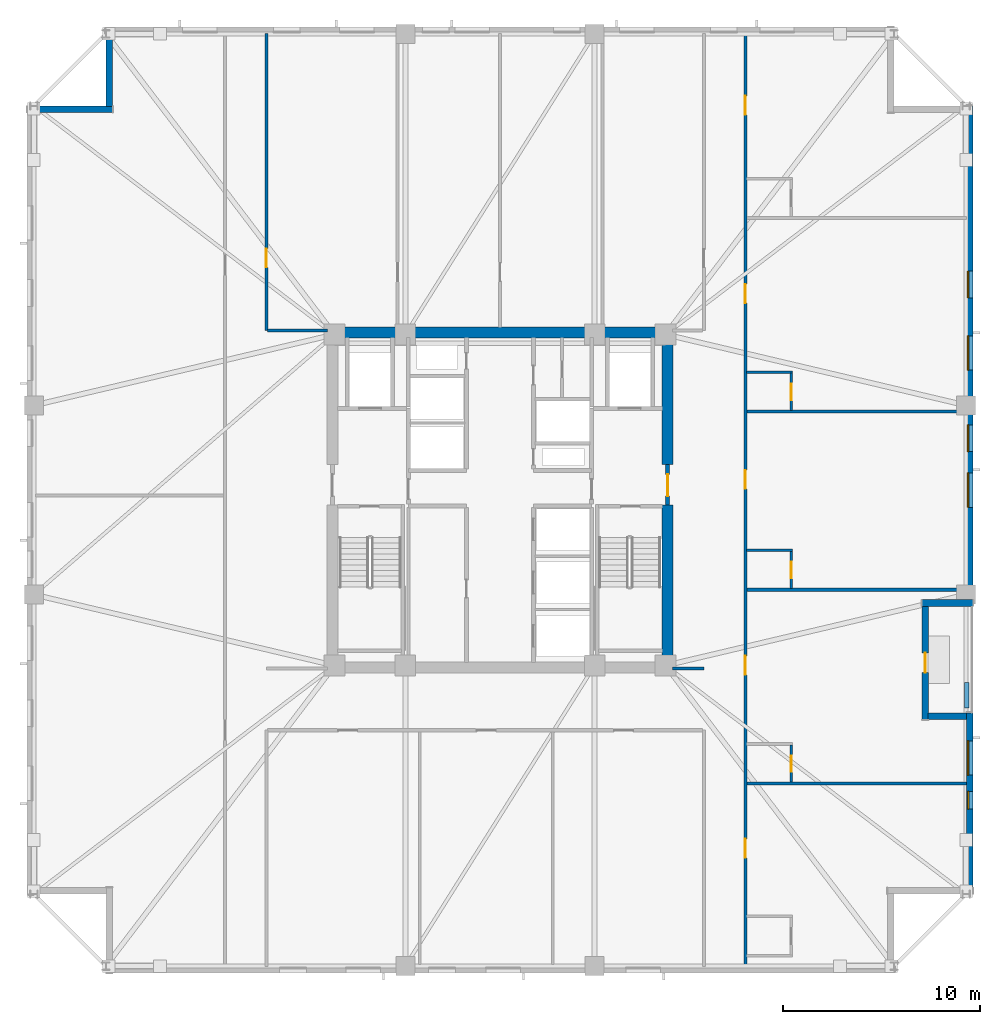
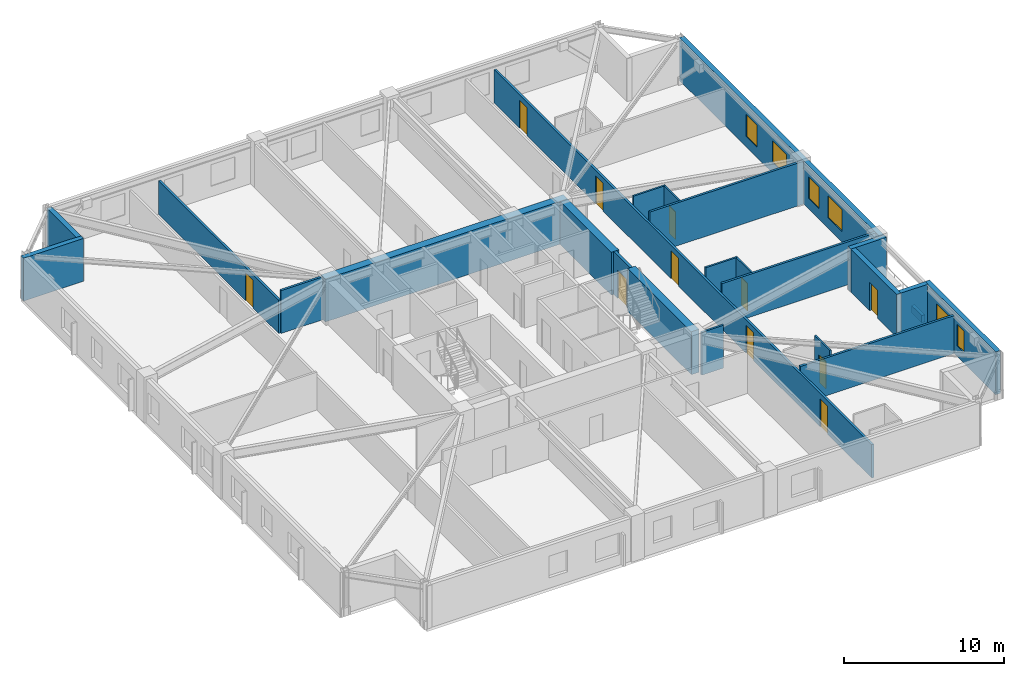
# One storey, part 4 of 10: 24 walls, 11 doors, 6 windows, 17 openings.
"""IFC4 building model written with IfcOpenShell, lengths in metres."""

import ifcopenshell
import ifcopenshell.guid

model = None  # the IFC model being written
_history = None  # IfcOwnerHistory: only IFC2X3 demands one
_inside = {}  # id of a spatial element -> (the spatial element, [elements in it])
_under = {}  # id of a project, library or spatial element -> (it, [spatial elements below it])
_declared = {}  # id of a project -> (the project, [libraries it declares])
_typed = {}  # id of a type object -> (the type object, [elements of that type])
_made_of = {}  # id of a material, layer set ... -> (it, [elements and type objects made of it])


def new_model(schema):
    """Start an empty IFC model of exactly this schema.

    Asked for "IFC4X3", IfcOpenShell would pick the latest addendum, in which some entities
    have other attributes; the version numbers below select the first issue.
    IFC2X3 requires an IfcOwnerHistory on every rooted entity: one is made here for all.
    """
    global model, _history
    if schema == "IFC4X3":
        model = ifcopenshell.file(schema_version=(4, 3, 0, 0))
    else:
        model = ifcopenshell.file(schema=schema)
    _inside.clear()
    _under.clear()
    _declared.clear()
    _typed.clear()
    _made_of.clear()
    _history = None
    if model.schema == "IFC2X3":
        org = make("IfcOrganization", Name="unknown")
        user = make(
            "IfcPersonAndOrganization",
            ThePerson=make("IfcPerson", FamilyName="unknown"),
            TheOrganization=org,
        )
        app = make(
            "IfcApplication",
            ApplicationDeveloper=org,
            Version="unknown",
            ApplicationFullName="unknown",
            ApplicationIdentifier="unknown",
        )
        _history = make(
            "IfcOwnerHistory",
            OwningUser=user,
            OwningApplication=app,
            ChangeAction="ADDED",
            CreationDate=0,
        )
    return model


def make(cls, **values):
    """One entity of the class cls with the attributes given. An attribute that is None is left unset."""
    return model.create_entity(
        cls, **{name: value for name, value in values.items() if value is not None}
    )


def rooted(cls, **values):
    """An entity with a GlobalId (a new one), such as an element, a storey or a relation."""
    return make(cls, GlobalId=ifcopenshell.guid.new(), OwnerHistory=_history, **values)


def si_unit(unit_type, name, prefix=None):
    """IfcSIUnit, for example si_unit("LENGTHUNIT", "METRE", prefix="MILLI")."""
    return make("IfcSIUnit", UnitType=unit_type, Prefix=prefix, Name=name)


def assignment(units):
    """IfcUnitAssignment: the units of a project."""
    return None if units is None else make("IfcUnitAssignment", Units=units)


def point(xyz):
    """IfcCartesianPoint."""
    return None if xyz is None else make("IfcCartesianPoint", Coordinates=xyz)


def direction(xyz):
    """IfcDirection."""
    return None if xyz is None else make("IfcDirection", DirectionRatios=xyz)


def frame(location, z_axis=None, x_axis=None):
    """IfcAxis2Placement3D, a coordinate frame: its origin and axes. An axis left out is left unset."""
    return make(
        "IfcAxis2Placement3D",
        Location=point(location),
        Axis=direction(z_axis),
        RefDirection=direction(x_axis),
    )


def frame_2d(location, x_axis=None):
    """IfcAxis2Placement2D, a coordinate frame in the plane: its origin and x axis."""
    return make(
        "IfcAxis2Placement2D", Location=point(location), RefDirection=direction(x_axis)
    )


def origin():
    """The frame at (0, 0, 0) with its axes left unset."""
    return frame((0.0, 0.0, 0.0))


def place(relative_to, where):
    """IfcLocalPlacement: puts the frame where relative to a parent placement (None: the world)."""
    return make(
        "IfcLocalPlacement", PlacementRelTo=relative_to, RelativePlacement=where
    )


def context(
    kind, dimensions, precision=None, world=None, true_north=None, identifier=None
):
    """IfcGeometricRepresentationContext, for example the 3D "Model" context."""
    return make(
        "IfcGeometricRepresentationContext",
        ContextIdentifier=identifier,
        ContextType=kind,
        CoordinateSpaceDimension=dimensions,
        Precision=precision,
        WorldCoordinateSystem=world,
        TrueNorth=true_north,
    )


def subcontext(parent, identifier, kind, view, scale=None):
    """IfcGeometricRepresentationSubContext, for example "Body" below "Model"."""
    return make(
        "IfcGeometricRepresentationSubContext",
        ContextIdentifier=identifier,
        ContextType=kind,
        ParentContext=parent,
        TargetScale=scale,
        TargetView=view,
    )


def project(units=None, contexts=None):
    """IfcProject with its units and contexts."""
    return rooted(
        "IfcProject",
        Name="project",
        RepresentationContexts=contexts,
        UnitsInContext=assignment(units),
    )


def spatial(cls, under=None, at=None, **own):
    """A site, building, storey or space (cls), placed at a placement, below another one or the project."""
    s = rooted(cls, ObjectPlacement=at, **own)
    if under is not None:
        _under.setdefault(under.id(), (under, []))[1].append(s)
    return s


def profile(cls, at=None, kind="AREA", **sizes):
    """A parametric profile (cls). Its sizes go by their IFC names, for example OverallWidth=200.0."""
    return make(cls, ProfileType=kind, Position=at, **sizes)


def rectangle(**sizes):
    """IfcRectangleProfileDef."""
    return profile("IfcRectangleProfileDef", **sizes)


def extrude(swept, where, along, depth):
    """IfcExtrudedAreaSolid: the profile swept, set in the frame where, extruded along a direction by depth."""
    return make(
        "IfcExtrudedAreaSolid",
        SweptArea=swept,
        Position=where,
        ExtrudedDirection=direction(along),
        Depth=depth,
    )


def shape(context_of_items, identifier, shape_type, items):
    """IfcShapeRepresentation: the items that make up one representation, for example the "Body"."""
    return make(
        "IfcShapeRepresentation",
        ContextOfItems=context_of_items,
        RepresentationIdentifier=identifier,
        RepresentationType=shape_type,
        Items=items,
    )


def material(Name=None, Category=None):
    """IfcMaterial."""
    return make("IfcMaterial", Name=Name, Category=Category)


def layer(
    of_material, thickness, ventilated=None, Name=None, Category=None, Priority=None
):
    """IfcMaterialLayer: one layer of a wall or slab, of a material (None: an air gap)."""
    return make(
        "IfcMaterialLayer",
        Material=of_material,
        LayerThickness=thickness,
        IsVentilated=ventilated,
        Name=Name,
        Category=Category,
        Priority=Priority,
    )


def layer_set(layers, Name=None):
    """IfcMaterialLayerSet."""
    return make("IfcMaterialLayerSet", MaterialLayers=layers, LayerSetName=Name)


def made_of(thing, what):
    """Note that an element or type object is made of a material, layer set ...; save() writes the relation."""
    if what is not None:
        _made_of.setdefault(what.id(), (what, []))[1].append(thing)
    return thing


def type_object(cls, material=None, **own):
    """A type object (cls), such as IfcWallType, which elements share."""
    return made_of(rooted(cls, **own), material)


def element(
    cls,
    number,
    at=None,
    inside=None,
    cuts=None,
    type_object=None,
    material=None,
    context=None,
    identifier="Body",
    shape_type=None,
    held_by="IfcProductDefinitionShape",
    body=None,
    shapes=None,
    **own,
):
    """One element of the class cls, such as IfcWall. Its Tag is "e" and its number.

    at: its placement. inside: the storey or other place that contains it. cuts: it is an
    opening in that element (IfcRelVoidsElement). A single representation is given by context,
    identifier, shape_type and body (its items); several are given by shapes. held_by: the class
    of the entity that holds the representations. save() writes the other relations.
    """
    e = rooted(cls, Tag="e%d" % number, ObjectPlacement=at, **own)
    if body is not None:
        shapes = [shape(context, identifier, shape_type, body)]
    if shapes is not None:
        e.Representation = make(held_by, Representations=shapes)
    if inside is not None:
        _inside.setdefault(inside.id(), (inside, []))[1].append(e)
    if cuts is not None:
        rooted(
            "IfcRelVoidsElement", RelatingBuildingElement=cuts, RelatedOpeningElement=e
        )
    if type_object is not None:
        _typed.setdefault(type_object.id(), (type_object, []))[1].append(e)
    return made_of(e, material)


def fill(opening, filler):
    """IfcRelFillsElement: the door or window that sits in an opening."""
    return rooted(
        "IfcRelFillsElement",
        RelatingOpeningElement=opening,
        RelatedBuildingElement=filler,
    )


def aggregate(whole, parts):
    """IfcRelAggregates: a whole, such as a stair, and the parts it consists of."""
    return rooted("IfcRelAggregates", RelatingObject=whole, RelatedObjects=parts)


def save(model, path):
    """Write the relations noted so far, then the file.

    IfcRelAggregates (storeys below a building ...), IfcRelContainedInSpatialStructure (elements
    in a storey), IfcRelDefinesByType, IfcRelAssociatesMaterial and IfcRelDeclares: one each for
    every whole, place, type object, material and project.
    """
    for whole, parts in _under.values():
        aggregate(whole, parts)
    for where, things in _inside.values():
        rooted(
            "IfcRelContainedInSpatialStructure",
            RelatedElements=things,
            RelatingStructure=where,
        )
    for kind, things in _typed.values():
        rooted("IfcRelDefinesByType", RelatedObjects=things, RelatingType=kind)
    for what, things in _made_of.values():
        rooted("IfcRelAssociatesMaterial", RelatedObjects=things, RelatingMaterial=what)
    for by, libraries in _declared.values():
        rooted("IfcRelDeclares", RelatingContext=by, RelatedDefinitions=libraries)
    model.write(path)


model = new_model("IFC4")

# Units and contexts
model_context = context("Model", 3, precision=1e-05, world=origin(), true_north=direction((0.0, 1.0)))
body_context = subcontext(model_context, "Body", "Model", "MODEL_VIEW")
ifc_project = project(units=[si_unit("LENGTHUNIT", "METRE"), si_unit("AREAUNIT", "SQUARE_METRE"), si_unit("VOLUMEUNIT", "CUBIC_METRE"), si_unit("PLANEANGLEUNIT", "RADIAN"), si_unit("MASSUNIT", "GRAM", prefix="KILO")], contexts=[model_context])

# Site, building, storey
site_placement = place(None, origin())
site = spatial("IfcSite", under=ifc_project, at=site_placement, CompositionType="ELEMENT")
building_placement = place(site_placement, origin())
building = spatial("IfcBuilding", under=site, at=building_placement, Name="Cairnveth Concourse Tower", CompositionType="ELEMENT")
storey_placement = place(building_placement, frame((0.0, 0.0, 179.5)))
storey = spatial("IfcBuildingStorey", under=building, at=storey_placement, Name="L49", CompositionType="ELEMENT", Elevation=179.5)

# Wall, opening, door
ifc_material_1 = material(Name="Gypsum Plasterboard Partition", Category="gypsum")
ifc_layer_1 = layer(ifc_material_1, 0.159912109375)
ifc_layer_set_1 = layer_set([ifc_layer_1], Name="Gypsum Plasterboard Partition")
wall_type_1 = type_object("IfcWallType", Name="ACOUSTIC PARTY WALL 180", PredefinedType="PARTITIONING", material=ifc_layer_set_1)
wall_1_placement = place(storey_placement, frame((40.14990234375, 47.60009765625, 0.0), z_axis=(0.0, 0.0, 1.0), x_axis=(0.0, 1.0, 0.0)))
wall_1 = element("IfcWall", 1, at=wall_1_placement, inside=storey, type_object=wall_type_1, Name="Interior Wall IW-L49-038", PredefinedType="PARTITIONING", context=body_context, shape_type="SweptSolid", body=[
    extrude(rectangle(XDim=15.074951171875, YDim=0.159912109375, at=frame_2d((7.53759765625, 0.0))), origin(), (0.0, 0.0, 1.0), 2.554931640625),
])
opening_1_placement = place(wall_1_placement, frame((3.199951171875, 0.0, 0.0)))
opening_1 = element("IfcOpeningElement", 2, at=opening_1_placement, cuts=wall_1, Name="Opening ID11", PredefinedType="OPENING", context=body_context, shape_type="SweptSolid", body=[
    extrude(rectangle(XDim=0.9599609375, YDim=2.1201171875, at=frame_2d((0.47998046875, 1.06005859375))), frame((0.0, 0.08984375, 0.0), z_axis=(0.0, -1.0, 0.0), x_axis=(1.0, 0.0, 0.0)), (0.0, 0.0, 1.0), 0.179931640625),
])
ifc_material_2 = material(Name="Solid Core Hardwood Timber Leaf", Category="wood")
door_type_1 = type_object("IfcDoorType", Name="INTERIOR SINGLE DOOR 960X2150", OperationType="NOTDEFINED", PredefinedType="DOOR", material=ifc_material_2)
door_1_placement = place(opening_1_placement, origin())
door_1 = element("IfcDoor", 3, at=door_1_placement, inside=storey, type_object=door_type_1, Name="Interior Door DR-L49-015", OperationType="SINGLE_SWING_LEFT", OverallHeight=2.1201171875, OverallWidth=0.9599609375, PredefinedType="DOOR", context=body_context, shape_type="SweptSolid", body=[
    extrude(rectangle(XDim=0.9599609375, YDim=2.1201171875, at=frame_2d((0.47998046875, 1.06005859375))), frame((0.0, 0.02490234375, 0.0), z_axis=(0.0, -1.0, 0.0), x_axis=(1.0, 0.0, 0.0)), (0.0, 0.0, 1.0), 0.050048828125),
])
fill(opening_1, door_1)

# Wall
wall_2_placement = place(storey_placement, frame((40.215087890625, 47.60009765625, 0.0), z_axis=(0.0, 0.0, 1.0), x_axis=(1.0, 0.0, 0.0)))
element("IfcWall", 4, at=wall_2_placement, inside=storey, type_object=wall_type_1, Name="Interior Wall IW-L49-040", PredefinedType="PARTITIONING", context=body_context, shape_type="SweptSolid", body=[
    extrude(rectangle(XDim=3.02001953125, YDim=0.159912109375, at=frame_2d((1.510009765625, 0.0))), origin(), (0.0, 0.0, 1.0), 3.280029296875),
])

# Wall, openings, doors
wall_3_placement = place(storey_placement, frame((64.449951171875, 15.324951171875, 0.0), z_axis=(0.0, 0.0, 1.0), x_axis=(0.0, 1.0, 0.0)))
wall_3 = element("IfcWall", 5, at=wall_3_placement, inside=storey, type_object=wall_type_1, Name="Interior Wall IW-L49-041", PredefinedType="PARTITIONING", context=body_context, shape_type="SweptSolid", body=[
    extrude(rectangle(XDim=47.35009765625, YDim=0.159912109375, at=frame_2d((23.675048828125, 0.0))), origin(), (0.0, 0.0, 1.0), 2.554931640625),
])
opening_2_placement = place(wall_3_placement, frame((5.514892578125, 0.0, 0.0)))
opening_2 = element("IfcOpeningElement", 6, at=opening_2_placement, cuts=wall_3, Name="Opening ID09", PredefinedType="OPENING", context=body_context, shape_type="SweptSolid", body=[
    extrude(rectangle(XDim=0.9599609375, YDim=2.14990234375, at=frame_2d((0.47998046875, 1.074951171875))), frame((0.0, 0.08984375, 0.0), z_axis=(0.0, -1.0, 0.0), x_axis=(1.0, 0.0, 0.0)), (0.0, 0.0, 1.0), 0.179931640625),
])
opening_3_placement = place(wall_3_placement, frame((14.80224609375, 0.0, 0.0)))
opening_3 = element("IfcOpeningElement", 7, at=opening_3_placement, cuts=wall_3, Name="Opening ID09", PredefinedType="OPENING", context=body_context, shape_type="SweptSolid", body=[
    extrude(rectangle(XDim=0.9599609375, YDim=2.14990234375, at=frame_2d((0.47998046875, 1.074951171875))), frame((0.0, 0.08984375, 0.0), z_axis=(0.0, -1.0, 0.0), x_axis=(1.0, 0.0, 0.0)), (0.0, 0.0, 1.0), 0.179931640625),
])
opening_4_placement = place(wall_3_placement, frame((24.234130859375, 0.0, 0.0)))
opening_4 = element("IfcOpeningElement", 8, at=opening_4_placement, cuts=wall_3, Name="Opening ID09", PredefinedType="OPENING", context=body_context, shape_type="SweptSolid", body=[
    extrude(rectangle(XDim=0.9599609375, YDim=2.14990234375, at=frame_2d((0.47998046875, 1.074951171875))), frame((0.0, 0.08984375, 0.0), z_axis=(0.0, -1.0, 0.0), x_axis=(1.0, 0.0, 0.0)), (0.0, 0.0, 1.0), 0.179931640625),
])
opening_5_placement = place(wall_3_placement, frame((33.666259765625, 0.0, 0.0)))
opening_5 = element("IfcOpeningElement", 9, at=opening_5_placement, cuts=wall_3, Name="Opening ID09", PredefinedType="OPENING", context=body_context, shape_type="SweptSolid", body=[
    extrude(rectangle(XDim=0.9599609375, YDim=2.14990234375, at=frame_2d((0.47998046875, 1.074951171875))), frame((0.0, 0.08984375, 0.0), z_axis=(0.0, -1.0, 0.0), x_axis=(1.0, 0.0, 0.0)), (0.0, 0.0, 1.0), 0.179931640625),
])
opening_6_placement = place(wall_3_placement, frame((43.21435546875, 0.0, 0.0)))
opening_6 = element("IfcOpeningElement", 10, at=opening_6_placement, cuts=wall_3, Name="Opening ID09", PredefinedType="OPENING", context=body_context, shape_type="SweptSolid", body=[
    extrude(rectangle(XDim=0.9599609375, YDim=2.14990234375, at=frame_2d((0.47998046875, 1.074951171875))), frame((0.0, 0.08984375, 0.0), z_axis=(0.0, -1.0, 0.0), x_axis=(1.0, 0.0, 0.0)), (0.0, 0.0, 1.0), 0.179931640625),
])
door_type_2 = type_object("IfcDoorType", Name="HOTEL ENTRANCE DOOR 960X2150", OperationType="NOTDEFINED", PredefinedType="DOOR", material=ifc_material_2)
door_2_placement = place(opening_2_placement, origin())
door_2 = element("IfcDoor", 11, at=door_2_placement, inside=storey, type_object=door_type_2, Name="Hotel Room Door L49-E1", OperationType="SINGLE_SWING_LEFT", OverallHeight=2.14990234375, OverallWidth=0.9599609375, PredefinedType="DOOR", context=body_context, shape_type="SweptSolid", body=[
    extrude(rectangle(XDim=0.9599609375, YDim=2.14990234375, at=frame_2d((0.47998046875, 1.074951171875))), frame((0.0, 0.02490234375, 0.0), z_axis=(0.0, -1.0, 0.0), x_axis=(1.0, 0.0, 0.0)), (0.0, 0.0, 1.0), 0.050048828125),
])
fill(opening_2, door_2)
door_3_placement = place(opening_3_placement, origin())
door_3 = element("IfcDoor", 12, at=door_3_placement, inside=storey, type_object=door_type_2, Name="Hotel Room Door L49-E2", OperationType="SINGLE_SWING_LEFT", OverallHeight=2.14990234375, OverallWidth=0.9599609375, PredefinedType="DOOR", context=body_context, shape_type="SweptSolid", body=[
    extrude(rectangle(XDim=0.9599609375, YDim=2.14990234375, at=frame_2d((0.47998046875, 1.074951171875))), frame((0.0, 0.02490234375, 0.0), z_axis=(0.0, -1.0, 0.0), x_axis=(1.0, 0.0, 0.0)), (0.0, 0.0, 1.0), 0.050048828125),
])
fill(opening_3, door_3)
door_4_placement = place(opening_4_placement, origin())
door_4 = element("IfcDoor", 13, at=door_4_placement, inside=storey, type_object=door_type_2, Name="Hotel Room Door L49-E3", OperationType="SINGLE_SWING_LEFT", OverallHeight=2.14990234375, OverallWidth=0.9599609375, PredefinedType="DOOR", context=body_context, shape_type="SweptSolid", body=[
    extrude(rectangle(XDim=0.9599609375, YDim=2.14990234375, at=frame_2d((0.47998046875, 1.074951171875))), frame((0.0, 0.02490234375, 0.0), z_axis=(0.0, -1.0, 0.0), x_axis=(1.0, 0.0, 0.0)), (0.0, 0.0, 1.0), 0.050048828125),
])
fill(opening_4, door_4)
door_5_placement = place(opening_5_placement, origin())
door_5 = element("IfcDoor", 14, at=door_5_placement, inside=storey, type_object=door_type_2, Name="Hotel Room Door L49-E4", OperationType="SINGLE_SWING_LEFT", OverallHeight=2.14990234375, OverallWidth=0.9599609375, PredefinedType="DOOR", context=body_context, shape_type="SweptSolid", body=[
    extrude(rectangle(XDim=0.9599609375, YDim=2.14990234375, at=frame_2d((0.47998046875, 1.074951171875))), frame((0.0, 0.02490234375, 0.0), z_axis=(0.0, -1.0, 0.0), x_axis=(1.0, 0.0, 0.0)), (0.0, 0.0, 1.0), 0.050048828125),
])
fill(opening_5, door_5)
door_6_placement = place(opening_6_placement, origin())
door_6 = element("IfcDoor", 15, at=door_6_placement, inside=storey, type_object=door_type_2, Name="Hotel Room Door L49-E5", OperationType="SINGLE_SWING_LEFT", OverallHeight=2.14990234375, OverallWidth=0.9599609375, PredefinedType="DOOR", context=body_context, shape_type="SweptSolid", body=[
    extrude(rectangle(XDim=0.9599609375, YDim=2.14990234375, at=frame_2d((0.47998046875, 1.074951171875))), frame((0.0, 0.02490234375, 0.0), z_axis=(0.0, -1.0, 0.0), x_axis=(1.0, 0.0, 0.0)), (0.0, 0.0, 1.0), 0.050048828125),
])
fill(opening_6, door_6)

# Walls
wall_4_placement = place(storey_placement, frame((64.530029296875, 24.61962890625, 0.0), z_axis=(0.0, 0.0, 1.0), x_axis=(1.0, 0.0, 0.0)))
element("IfcWall", 16, at=wall_4_placement, inside=storey, type_object=wall_type_1, Name="Interior Wall IW-L49-056", PredefinedType="PARTITIONING", context=body_context, shape_type="SweptSolid", body=[
    extrude(rectangle(XDim=11.14501953125, YDim=0.159912109375, at=frame_2d((5.572509765625, 0.0))), origin(), (0.0, 0.0, 1.0), 2.89599609375),
])
for number, where, z_axis, x_axis, name in (
    (17, (64.530029296875, 34.44482421875, 0.0), (0.0, 0.0, 1.0), (1.0, 0.0, 0.0), "Interior Wall IW-L49-059"),
    (18, (64.530029296875, 43.483642578125, 0.0), (0.0, 0.0, 1.0), (1.0, 0.0, 0.0), "Interior Wall IW-L49-062"),
):
    element("IfcWall", number, at=place(storey_placement, frame(where, z_axis=z_axis, x_axis=x_axis)), inside=storey, type_object=wall_type_1, Name=name, PredefinedType="PARTITIONING", context=body_context, shape_type="SweptSolid", body=[
        extrude(rectangle(XDim=11.14501953125, YDim=0.159912109375, at=frame_2d((5.572509765625, 0.0))), origin(), (0.0, 0.0, 1.0), 3.280029296875),
    ])
ifc_material_3 = material(Name="Concrete N80 (80 MPa)", Category="concrete")
ifc_layer_2 = layer(ifc_material_3, 0.550048828125)
ifc_layer_set_2 = layer_set([ifc_layer_2], Name="Concrete N80 (80 MPa)")
wall_type_2 = type_object("IfcWallType", Name="CORE SHEAR WALL 550", PredefinedType="SHEAR", material=ifc_layer_set_2)
wall_5_placement = place(storey_placement, frame((43.22509765625, 47.5, 0.0), z_axis=(0.0, 0.0, 1.0), x_axis=(1.0, 0.0, 0.0)))
element("IfcWall", 19, at=wall_5_placement, inside=storey, type_object=wall_type_2, Name="Core North Shear Wall L49", PredefinedType="SHEAR", context=body_context, shape_type="SweptSolid", body=[
    extrude(rectangle(XDim=17.5498046875, YDim=0.550048828125, at=frame_2d((8.77490234375, 0.0))), origin(), (0.0, 0.0, 1.0), 3.280029296875),
])
wall_6_placement = place(storey_placement, frame((60.5, 30.764892578125, 0.0), z_axis=(0.0, 0.0, 1.0), x_axis=(0.0, 1.0, 0.0)))
element("IfcWall", 20, at=wall_6_placement, inside=storey, type_object=wall_type_2, Name="Core East Shear Wall S L49", PredefinedType="SHEAR", context=body_context, shape_type="SweptSolid", body=[
    extrude(rectangle(XDim=7.985107421875, YDim=0.550048828125, at=frame_2d((3.99267578125, 0.0))), origin(), (0.0, 0.0, 1.0), 3.280029296875),
])
wall_7_placement = place(storey_placement, frame((60.5, 40.800048828125, 0.0), z_axis=(0.0, 0.0, 1.0), x_axis=(0.0, 1.0, 0.0)))
element("IfcWall", 21, at=wall_7_placement, inside=storey, type_object=wall_type_2, Name="Core East Shear Wall N L49", PredefinedType="SHEAR", context=body_context, shape_type="SweptSolid", body=[
    extrude(rectangle(XDim=6.43505859375, YDim=0.550048828125, at=frame_2d((3.217529296875, 0.0))), origin(), (0.0, 0.0, 1.0), 3.280029296875),
])

# Wall, opening, door
ifc_material_4 = material(Name="Concrete N50 (50 MPa)", Category="concrete")
ifc_layer_3 = layer(ifc_material_4, 0.199951171875)
ifc_layer_set_3 = layer_set([ifc_layer_3], Name="Concrete N50 (50 MPa)")
wall_type_3 = type_object("IfcWallType", Name="FIRE SHAFT WALL 200", PredefinedType="SOLIDWALL", material=ifc_layer_set_3)
wall_8_placement = place(storey_placement, frame((60.5, 38.75, 0.0), z_axis=(0.0, 0.0, 1.0), x_axis=(0.0, 1.0, 0.0)))
wall_8 = element("IfcWall", 22, at=wall_8_placement, inside=storey, type_object=wall_type_3, Name="Interior Wall IW-L49-020", PredefinedType="SOLIDWALL", context=body_context, shape_type="SweptSolid", body=[
    extrude(rectangle(XDim=2.050048828125, YDim=0.199951171875, at=frame_2d((1.02490234375, 0.0))), origin(), (0.0, 0.0, 1.0), 3.280029296875),
])
opening_7_placement = place(wall_8_placement, frame((0.449951171875, 0.0, 0.0)))
opening_7 = element("IfcOpeningElement", 23, at=opening_7_placement, cuts=wall_8, Name="Opening ID06", PredefinedType="OPENING", context=body_context, shape_type="SweptSolid", body=[
    extrude(rectangle(XDim=1.10009765625, YDim=2.14990234375, at=frame_2d((0.550048828125, 1.074951171875))), frame((0.0, 0.10986328125, 0.0), z_axis=(0.0, -1.0, 0.0), x_axis=(1.0, 0.0, 0.0)), (0.0, 0.0, 1.0), 0.219970703125),
])
ifc_material_5 = material(Name="Steel Grade 350", Category="steel")
door_type_3 = type_object("IfcDoorType", Name="FIRE CORRIDOR DOOR 1100X2150", OperationType="NOTDEFINED", PredefinedType="DOOR", material=ifc_material_5)
door_7_placement = place(opening_7_placement, origin())
door_7 = element("IfcDoor", 24, at=door_7_placement, inside=storey, type_object=door_type_3, Name="East Wing to FF Lobby Door L49", OperationType="SINGLE_SWING_RIGHT", OverallHeight=2.14990234375, OverallWidth=1.10009765625, PredefinedType="DOOR", context=body_context, shape_type="SweptSolid", body=[
    extrude(rectangle(XDim=1.10009765625, YDim=2.14990234375, at=frame_2d((0.550048828125, 1.074951171875))), frame((0.0, 0.02490234375, 0.0), z_axis=(0.0, -1.0, 0.0), x_axis=(1.0, 0.0, 0.0)), (0.0, 0.0, 1.0), 0.050048828125),
])
fill(opening_7, door_7)

# Walls
ifc_layer_4 = layer(ifc_material_1, 0.139892578125)
ifc_layer_set_4 = layer_set([ifc_layer_4], Name="Gypsum Plasterboard Partition")
wall_type_4 = type_object("IfcWallType", Name="GYPSUM STUD PARTITION 140", PredefinedType="PARTITIONING", material=ifc_layer_set_4)
wall_9_placement = place(storey_placement, frame((60.764892578125, 30.449951171875, 0.0), z_axis=(0.0, 0.0, 1.0), x_axis=(1.0, 0.0, 0.0)))
element("IfcWall", 25, at=wall_9_placement, inside=storey, type_object=wall_type_4, Name="Interior Wall IW-L49-044", PredefinedType="PARTITIONING", context=body_context, shape_type="SweptSolid", body=[
    extrude(rectangle(XDim=1.585205078125, YDim=0.139892578125, at=frame_2d((0.79248046875, 0.0))), origin(), (0.0, 0.0, 1.0), 3.280029296875),
])
ifc_material_6 = material(Name="Dressed Melbourne Bluestone Cladding", Category="masonry")
ifc_layer_5 = layer(ifc_material_6, 0.219970703125)
ifc_layer_set_5 = layer_set([ifc_layer_5], Name="Dressed Melbourne Bluestone Cladding")
wall_type_5 = type_object("IfcWallType", Name="TERRACE PLANTER CURB WALL 220", PredefinedType="PARAPET", material=ifc_layer_set_5)
wall_10_placement = place(storey_placement, frame((75.679931640625, 28.449951171875, 0.0), z_axis=(0.0, 0.0, 1.0), x_axis=(0.0, 1.0, 0.0)))
element("IfcWall", 26, at=wall_10_placement, inside=storey, type_object=wall_type_5, Name="Exterior Wall PLNT-L49-TERR", PredefinedType="PARAPET", context=body_context, shape_type="SweptSolid", body=[
    extrude(rectangle(XDim=1.300048828125, YDim=0.219970703125, at=frame_2d((0.64990234375, 0.0))), origin(), (0.0, 0.0, 1.0), 0.550048828125),
])

# Wall, opening, door
ifc_layer_6 = layer(ifc_material_1, 0.1298828125)
ifc_layer_set_6 = layer_set([ifc_layer_6], Name="Gypsum Plasterboard Partition")
wall_type_6 = type_object("IfcWallType", Name="WET AREA PARTITION 140", PredefinedType="PLUMBINGWALL", material=ifc_layer_set_6)
wall_11_placement = place(storey_placement, frame((66.780029296875, 24.6845703125, 0.0), z_axis=(0.0, 0.0, 1.0), x_axis=(0.0, 1.0, 0.0)))
wall_11 = element("IfcWall", 27, at=wall_11_placement, inside=storey, type_object=wall_type_6, Name="Interior Wall IW-L49-058", PredefinedType="PLUMBINGWALL", context=body_context, shape_type="SweptSolid", body=[
    extrude(rectangle(XDim=1.885009765625, YDim=0.1298828125, at=frame_2d((0.9423828125, 0.0))), origin(), (0.0, 0.0, 1.0), 3.280029296875),
])
opening_8_placement = place(wall_11_placement, frame((0.52490234375, 0.0, 0.0)))
opening_8 = element("IfcOpeningElement", 28, at=opening_8_placement, cuts=wall_11, Name="Opening ID22", PredefinedType="OPENING", context=body_context, shape_type="SweptSolid", body=[
    extrude(rectangle(XDim=0.820068359375, YDim=2.10009765625, at=frame_2d((0.41015625, 1.050048828125))), frame((0.0, 0.074951171875, 0.0), z_axis=(0.0, -1.0, 0.0), x_axis=(1.0, 0.0, 0.0)), (0.0, 0.0, 1.0), 0.14990234375),
])
door_type_4 = type_object("IfcDoorType", Name="INTERIOR WC DOOR 820X2100", OperationType="NOTDEFINED", PredefinedType="DOOR", material=ifc_material_2)
door_8_placement = place(opening_8_placement, origin())
door_8 = element("IfcDoor", 29, at=door_8_placement, inside=storey, type_object=door_type_4, Name="En-Suite Door L49-E2", OperationType="SINGLE_SWING_RIGHT", OverallHeight=2.10009765625, OverallWidth=0.820068359375, PredefinedType="DOOR", context=body_context, shape_type="SweptSolid", body=[
    extrude(rectangle(XDim=0.820068359375, YDim=2.10009765625, at=frame_2d((0.41015625, 1.050048828125))), frame((0.0, 0.02490234375, 0.0), z_axis=(0.0, -1.0, 0.0), x_axis=(1.0, 0.0, 0.0)), (0.0, 0.0, 1.0), 0.050048828125),
])
fill(opening_8, door_8)

# Wall
wall_12_placement = place(storey_placement, frame((64.514892578125, 36.44482421875, 0.0), z_axis=(0.0, 0.0, 1.0), x_axis=(1.0, 0.0, 0.0)))
element("IfcWall", 30, at=wall_12_placement, inside=storey, type_object=wall_type_6, Name="Interior Wall IW-L49-060", PredefinedType="PLUMBINGWALL", context=body_context, shape_type="SweptSolid", body=[
    extrude(rectangle(XDim=2.315185546875, YDim=0.1298828125, at=frame_2d((1.15771484375, 0.0))), origin(), (0.0, 0.0, 1.0), 3.280029296875),
])

# Wall, opening, door
wall_13_placement = place(storey_placement, frame((66.780029296875, 34.510009765625, 0.0), z_axis=(0.0, 0.0, 1.0), x_axis=(0.0, 1.0, 0.0)))
wall_13 = element("IfcWall", 31, at=wall_13_placement, inside=storey, type_object=wall_type_6, Name="Interior Wall IW-L49-061", PredefinedType="PLUMBINGWALL", context=body_context, shape_type="SweptSolid", body=[
    extrude(rectangle(XDim=1.885009765625, YDim=0.1298828125, at=frame_2d((0.9423828125, 0.0))), origin(), (0.0, 0.0, 1.0), 3.280029296875),
])
opening_9_placement = place(wall_13_placement, frame((0.52490234375, 0.0, 0.0)))
opening_9 = element("IfcOpeningElement", 32, at=opening_9_placement, cuts=wall_13, Name="Opening ID22", PredefinedType="OPENING", context=body_context, shape_type="SweptSolid", body=[
    extrude(rectangle(XDim=0.820068359375, YDim=2.10009765625, at=frame_2d((0.41015625, 1.050048828125))), frame((0.0, 0.074951171875, 0.0), z_axis=(0.0, -1.0, 0.0), x_axis=(1.0, 0.0, 0.0)), (0.0, 0.0, 1.0), 0.14990234375),
])
door_9_placement = place(opening_9_placement, origin())
door_9 = element("IfcDoor", 33, at=door_9_placement, inside=storey, type_object=door_type_4, Name="En-Suite Door L49-E3", OperationType="SINGLE_SWING_RIGHT", OverallHeight=2.10009765625, OverallWidth=0.820068359375, PredefinedType="DOOR", context=body_context, shape_type="SweptSolid", body=[
    extrude(rectangle(XDim=0.820068359375, YDim=2.10009765625, at=frame_2d((0.41015625, 1.050048828125))), frame((0.0, 0.02490234375, 0.0), z_axis=(0.0, -1.0, 0.0), x_axis=(1.0, 0.0, 0.0)), (0.0, 0.0, 1.0), 0.050048828125),
])
fill(opening_9, door_9)

# Wall
wall_14_placement = place(storey_placement, frame((64.514892578125, 45.483642578125, 0.0), z_axis=(0.0, 0.0, 1.0), x_axis=(1.0, 0.0, 0.0)))
element("IfcWall", 34, at=wall_14_placement, inside=storey, type_object=wall_type_6, Name="Interior Wall IW-L49-063", PredefinedType="PLUMBINGWALL", context=body_context, shape_type="SweptSolid", body=[
    extrude(rectangle(XDim=2.315185546875, YDim=0.1298828125, at=frame_2d((1.15771484375, 0.0))), origin(), (0.0, 0.0, 1.0), 3.280029296875),
])

# Wall, opening, door
wall_15_placement = place(storey_placement, frame((66.780029296875, 43.548583984375, 0.0), z_axis=(0.0, 0.0, 1.0), x_axis=(0.0, 1.0, 0.0)))
wall_15 = element("IfcWall", 35, at=wall_15_placement, inside=storey, type_object=wall_type_6, Name="Interior Wall IW-L49-064", PredefinedType="PLUMBINGWALL", context=body_context, shape_type="SweptSolid", body=[
    extrude(rectangle(XDim=1.885009765625, YDim=0.1298828125, at=frame_2d((0.9423828125, 0.0))), origin(), (0.0, 0.0, 1.0), 3.280029296875),
])
opening_10_placement = place(wall_15_placement, frame((0.52490234375, 0.0, 0.0)))
opening_10 = element("IfcOpeningElement", 36, at=opening_10_placement, cuts=wall_15, Name="Opening ID22", PredefinedType="OPENING", context=body_context, shape_type="SweptSolid", body=[
    extrude(rectangle(XDim=0.820068359375, YDim=2.10009765625, at=frame_2d((0.41015625, 1.050048828125))), frame((0.0, 0.074951171875, 0.0), z_axis=(0.0, -1.0, 0.0), x_axis=(1.0, 0.0, 0.0)), (0.0, 0.0, 1.0), 0.14990234375),
])
door_10_placement = place(opening_10_placement, origin())
door_10 = element("IfcDoor", 37, at=door_10_placement, inside=storey, type_object=door_type_4, Name="En-Suite Door L49-E4", OperationType="SINGLE_SWING_RIGHT", OverallHeight=2.10009765625, OverallWidth=0.820068359375, PredefinedType="DOOR", context=body_context, shape_type="SweptSolid", body=[
    extrude(rectangle(XDim=0.820068359375, YDim=2.10009765625, at=frame_2d((0.41015625, 1.050048828125))), frame((0.0, 0.02490234375, 0.0), z_axis=(0.0, -1.0, 0.0), x_axis=(1.0, 0.0, 0.0)), (0.0, 0.0, 1.0), 0.050048828125),
])
fill(opening_10, door_10)

# Wall, openings, windows
ifc_material_7 = material(Name="Hawthorn Red-Ochre Fired Clay Brick Masonry", Category="masonry")
ifc_layer_7 = layer(ifc_material_7, 0.340087890625)
ifc_layer_set_7 = layer_set([ifc_layer_7], Name="Hawthorn Red-Ochre Fired Clay Brick Masonry")
wall_type_7 = type_object("IfcWallType", Name="ZONE 2 BRICK PIER SPANDREL WALL 340", PredefinedType="SOLIDWALL", material=ifc_layer_set_7)
wall_16_placement = place(storey_placement, frame((75.830078125, 28.199951171875, 0.0), z_axis=(0.0, 0.0, 1.0), x_axis=(0.0, -1.0, 0.0)))
wall_16 = element("IfcWall", 38, at=wall_16_placement, inside=storey, type_object=wall_type_7, Name="Exterior Wall EW-L49-S00", PredefinedType="SOLIDWALL", context=body_context, shape_type="SweptSolid", body=[
    extrude(rectangle(XDim=8.8818359375, YDim=0.340087890625, at=frame_2d((4.44091796875, 0.0))), origin(), (0.0, 0.0, 1.0), 3.280029296875),
])
opening_11_placement = place(wall_16_placement, frame((1.416015625, 0.0, 0.800048828125)))
opening_11 = element("IfcOpeningElement", 39, at=opening_11_placement, cuts=wall_16, Name="Opening W06", PredefinedType="OPENING", context=body_context, shape_type="SweptSolid", body=[
    extrude(rectangle(XDim=1.75, YDim=1.659912109375, at=frame_2d((0.875, 0.830078125))), frame((0.0, 0.179931640625, 0.0), z_axis=(0.0, -1.0, 0.0), x_axis=(1.0, 0.0, 0.0)), (0.0, 0.0, 1.0), 0.360107421875),
])
opening_12_placement = place(wall_16_placement, frame((3.989990234375, 0.0, 0.800048828125)))
opening_12 = element("IfcOpeningElement", 40, at=opening_12_placement, cuts=wall_16, Name="Opening W13", PredefinedType="OPENING", context=body_context, shape_type="SweptSolid", body=[
    extrude(rectangle(XDim=0.89990234375, YDim=1.659912109375, at=frame_2d((0.449951171875, 0.830078125))), frame((0.0, 0.179931640625, 0.0), z_axis=(0.0, -1.0, 0.0), x_axis=(1.0, 0.0, 0.0)), (0.0, 0.0, 1.0), 0.360107421875),
])
ifc_material_8 = material(Name="Double Glazed Low-E Clear Glass", Category="glass")
window_type_1 = type_object("IfcWindowType", Name="DEEP-SET BEDROOM LANCET WINDOW 900X1750", PartitioningType="DOUBLE_PANEL_VERTICAL", PredefinedType="WINDOW", material=ifc_material_8)
window_1_placement = place(opening_12_placement, origin())
window_1 = element("IfcWindow", 41, at=window_1_placement, inside=storey, type_object=window_type_1, Name="Dwelling Lancet Window L49-DW1", OverallHeight=1.659912109375, OverallWidth=0.89990234375, PartitioningType="SINGLE_PANEL", PredefinedType="WINDOW", context=body_context, shape_type="SweptSolid", body=[
    extrude(rectangle(XDim=0.89990234375, YDim=1.659912109375, at=frame_2d((0.449951171875, 0.830078125))), frame((0.0, -0.0400390625, 0.0), z_axis=(0.0, -1.0, 0.0), x_axis=(1.0, 0.0, 0.0)), (0.0, 0.0, 1.0), 0.06005859375),
])
fill(opening_12, window_1)
window_type_2 = type_object("IfcWindowType", Name="DEEP-SET HOTEL SUITE WINDOW 1750X1800", PartitioningType="DOUBLE_PANEL_VERTICAL", PredefinedType="WINDOW", material=ifc_material_8)
window_2_placement = place(opening_11_placement, origin())
window_2 = element("IfcWindow", 42, at=window_2_placement, inside=storey, type_object=window_type_2, Name="Gothic Lancet Window L49-0-1", OverallHeight=1.659912109375, OverallWidth=1.75, PartitioningType="SINGLE_PANEL", PredefinedType="WINDOW", context=body_context, shape_type="SweptSolid", body=[
    extrude(rectangle(XDim=1.75, YDim=1.659912109375, at=frame_2d((0.875, 0.830078125))), frame((0.0, -0.050048828125, 0.0), z_axis=(0.0, -1.0, 0.0), x_axis=(1.0, 0.0, 0.0)), (0.0, 0.0, 1.0), 0.06005859375),
])
fill(opening_11, window_2)

# Walls
wall_17_placement = place(storey_placement, frame((28.0, 58.830078125, 0.0), z_axis=(0.0, 0.0, 1.0), x_axis=(1.0, 0.0, 0.0)))
element("IfcWall", 43, at=wall_17_placement, inside=storey, type_object=wall_type_7, Name="Exterior Wall EW-L49-S07", PredefinedType="SOLIDWALL", context=body_context, shape_type="SweptSolid", body=[
    extrude(rectangle(XDim=4.340087890625, YDim=0.340087890625, at=frame_2d((2.169921875, 0.0))), origin(), (0.0, 0.0, 1.0), 3.280029296875),
])
wall_18_placement = place(storey_placement, frame((32.169921875, 58.97802734375, 0.0), z_axis=(0.0, 0.0, 1.0), x_axis=(0.0, 1.0, 0.0)))
element("IfcWall", 44, at=wall_18_placement, inside=storey, type_object=wall_type_7, Name="Exterior Wall EW-L49-S08", PredefinedType="SOLIDWALL", context=body_context, shape_type="SweptSolid", body=[
    extrude(rectangle(XDim=3.703857421875, YDim=0.340087890625, at=frame_2d((1.85205078125, 0.0))), origin(), (0.0, 0.0, 1.0), 3.280029296875),
])

# Wall, openings, windows
wall_19_placement = place(storey_placement, frame((75.830078125, 59.0, 0.0), z_axis=(0.0, 0.0, 1.0), x_axis=(0.0, -1.0, 0.0)))
wall_19 = element("IfcWall", 45, at=wall_19_placement, inside=storey, type_object=wall_type_7, Name="Exterior Wall EW-L49-S12", PredefinedType="SOLIDWALL", context=body_context, shape_type="SweptSolid", body=[
    extrude(rectangle(XDim=25.08203125, YDim=0.340087890625, at=frame_2d((12.541015625, 0.0))), origin(), (0.0, 0.0, 1.0), 3.280029296875),
])
opening_13_placement = place(wall_19_placement, frame((8.3896484375, 0.0, 0.800048828125)))
opening_13 = element("IfcOpeningElement", 46, at=opening_13_placement, cuts=wall_19, Name="Opening W02", PredefinedType="OPENING", context=body_context, shape_type="SweptSolid", body=[
    extrude(rectangle(XDim=1.35009765625, YDim=1.659912109375, at=frame_2d((0.675048828125, 0.830078125))), frame((0.0, 0.179931640625, 0.0), z_axis=(0.0, -1.0, 0.0), x_axis=(1.0, 0.0, 0.0)), (0.0, 0.0, 1.0), 0.360107421875),
])
opening_14_placement = place(wall_19_placement, frame((11.666015625, 0.0, 0.800048828125)))
opening_14 = element("IfcOpeningElement", 47, at=opening_14_placement, cuts=wall_19, Name="Opening W06", PredefinedType="OPENING", context=body_context, shape_type="SweptSolid", body=[
    extrude(rectangle(XDim=1.75, YDim=1.659912109375, at=frame_2d((0.875, 0.830078125))), frame((0.0, 0.179931640625, 0.0), z_axis=(0.0, -1.0, 0.0), x_axis=(1.0, 0.0, 0.0)), (0.0, 0.0, 1.0), 0.360107421875),
])
opening_15_placement = place(wall_19_placement, frame((16.1923828125, 0.0, 0.800048828125)))
opening_15 = element("IfcOpeningElement", 48, at=opening_15_placement, cuts=wall_19, Name="Opening W02", PredefinedType="OPENING", context=body_context, shape_type="SweptSolid", body=[
    extrude(rectangle(XDim=1.35009765625, YDim=1.659912109375, at=frame_2d((0.675048828125, 0.830078125))), frame((0.0, 0.179931640625, 0.0), z_axis=(0.0, -1.0, 0.0), x_axis=(1.0, 0.0, 0.0)), (0.0, 0.0, 1.0), 0.360107421875),
])
opening_16_placement = place(wall_19_placement, frame((18.618896484375, 0.0, 0.800048828125)))
opening_16 = element("IfcOpeningElement", 49, at=opening_16_placement, cuts=wall_19, Name="Opening W06", PredefinedType="OPENING", context=body_context, shape_type="SweptSolid", body=[
    extrude(rectangle(XDim=1.75, YDim=1.659912109375, at=frame_2d((0.875, 0.830078125))), frame((0.0, 0.179931640625, 0.0), z_axis=(0.0, -1.0, 0.0), x_axis=(1.0, 0.0, 0.0)), (0.0, 0.0, 1.0), 0.360107421875),
])
window_type_3 = type_object("IfcWindowType", Name="DEEP-SET GOTHIC LANCET WINDOW 1350X1800", PartitioningType="DOUBLE_PANEL_VERTICAL", PredefinedType="WINDOW", material=ifc_material_8)
window_3_placement = place(opening_13_placement, origin())
window_3 = element("IfcWindow", 50, at=window_3_placement, inside=storey, type_object=window_type_3, Name="Gothic Lancet Window L49-12-2", OverallHeight=1.659912109375, OverallWidth=1.35009765625, PartitioningType="SINGLE_PANEL", PredefinedType="WINDOW", context=body_context, shape_type="SweptSolid", body=[
    extrude(rectangle(XDim=1.35009765625, YDim=1.659912109375, at=frame_2d((0.675048828125, 0.830078125))), frame((0.0, -0.050048828125, 0.0), z_axis=(0.0, -1.0, 0.0), x_axis=(1.0, 0.0, 0.0)), (0.0, 0.0, 1.0), 0.06005859375),
])
fill(opening_13, window_3)
window_4_placement = place(opening_15_placement, origin())
window_4 = element("IfcWindow", 51, at=window_4_placement, inside=storey, type_object=window_type_3, Name="Gothic Lancet Window L49-12-4", OverallHeight=1.659912109375, OverallWidth=1.35009765625, PartitioningType="SINGLE_PANEL", PredefinedType="WINDOW", context=body_context, shape_type="SweptSolid", body=[
    extrude(rectangle(XDim=1.35009765625, YDim=1.659912109375, at=frame_2d((0.675048828125, 0.830078125))), frame((0.0, -0.050048828125, 0.0), z_axis=(0.0, -1.0, 0.0), x_axis=(1.0, 0.0, 0.0)), (0.0, 0.0, 1.0), 0.06005859375),
])
fill(opening_15, window_4)
window_5_placement = place(opening_14_placement, origin())
window_5 = element("IfcWindow", 52, at=window_5_placement, inside=storey, type_object=window_type_2, Name="Gothic Lancet Window L49-12-3", OverallHeight=1.659912109375, OverallWidth=1.75, PartitioningType="SINGLE_PANEL", PredefinedType="WINDOW", context=body_context, shape_type="SweptSolid", body=[
    extrude(rectangle(XDim=1.75, YDim=1.659912109375, at=frame_2d((0.875, 0.830078125))), frame((0.0, -0.050048828125, 0.0), z_axis=(0.0, -1.0, 0.0), x_axis=(1.0, 0.0, 0.0)), (0.0, 0.0, 1.0), 0.06005859375),
])
fill(opening_14, window_5)
window_6_placement = place(opening_16_placement, origin())
window_6 = element("IfcWindow", 53, at=window_6_placement, inside=storey, type_object=window_type_2, Name="Gothic Lancet Window L49-12-5", OverallHeight=1.659912109375, OverallWidth=1.75, PartitioningType="SINGLE_PANEL", PredefinedType="WINDOW", context=body_context, shape_type="SweptSolid", body=[
    extrude(rectangle(XDim=1.75, YDim=1.659912109375, at=frame_2d((0.875, 0.830078125))), frame((0.0, -0.050048828125, 0.0), z_axis=(0.0, -1.0, 0.0), x_axis=(1.0, 0.0, 0.0)), (0.0, 0.0, 1.0), 0.06005859375),
])
fill(opening_16, window_6)

# Wall
wall_20_placement = place(storey_placement, frame((76.0, 33.77001953125, 0.0), z_axis=(0.0, 0.0, 1.0), x_axis=(-1.0, 0.0, 0.0)))
element("IfcWall", 54, at=wall_20_placement, inside=storey, type_object=wall_type_7, Name="Exterior Wall EW-L49-S13", PredefinedType="SOLIDWALL", context=body_context, shape_type="SweptSolid", body=[
    extrude(rectangle(XDim=2.590087890625, YDim=0.340087890625, at=frame_2d((1.294921875, 0.0))), origin(), (0.0, 0.0, 1.0), 3.280029296875),
])

# Wall, opening, door
wall_21_placement = place(storey_placement, frame((73.580078125, 33.6220703125, 0.0), z_axis=(0.0, 0.0, 1.0), x_axis=(0.0, -1.0, 0.0)))
wall_21 = element("IfcWall", 55, at=wall_21_placement, inside=storey, type_object=wall_type_7, Name="Exterior Wall EW-L49-S14", PredefinedType="SOLIDWALL", context=body_context, shape_type="SweptSolid", body=[
    extrude(rectangle(XDim=5.761962890625, YDim=0.340087890625, at=frame_2d((2.880859375, 0.0))), origin(), (0.0, 0.0, 1.0), 3.280029296875),
])
opening_17_placement = place(wall_21_placement, frame((2.381103515625, 0.0, 0.0)))
opening_17 = element("IfcOpeningElement", 56, at=opening_17_placement, cuts=wall_21, Name="Opening ED4", PredefinedType="OPENING", context=body_context, shape_type="SweptSolid", body=[
    extrude(rectangle(XDim=1.0, YDim=2.14990234375, at=frame_2d((0.5, 1.074951171875))), frame((0.0, 0.179931640625, 0.0), z_axis=(0.0, -1.0, 0.0), x_axis=(1.0, 0.0, 0.0)), (0.0, 0.0, 1.0), 0.360107421875),
])
ifc_material_9 = material(Name="Architectural Bronze Anodised Aluminium 6063-T6", Category="aluminium")
door_type_5 = type_object("IfcDoorType", Name="TERRACE GLAZED DOOR 1000X2150", OperationType="NOTDEFINED", PredefinedType="DOOR", material=ifc_material_9)
door_11_placement = place(opening_17_placement, origin())
door_11 = element("IfcDoor", 57, at=door_11_placement, inside=storey, type_object=door_type_5, Name="Spiral Terrace Door L49", OperationType="SINGLE_SWING_RIGHT", OverallHeight=2.14990234375, OverallWidth=1.0, PredefinedType="DOOR", context=body_context, shape_type="SweptSolid", body=[
    extrude(rectangle(XDim=1.0, YDim=2.14990234375, at=frame_2d((0.5, 1.074951171875))), frame((0.0, 0.02490234375, 0.0), z_axis=(0.0, -1.0, 0.0), x_axis=(1.0, 0.0, 0.0)), (0.0, 0.0, 1.0), 0.050048828125),
])
fill(opening_17, door_11)

# Wall
wall_22_placement = place(storey_placement, frame((73.72802734375, 28.030029296875, 0.0), z_axis=(0.0, 0.0, 1.0), x_axis=(1.0, 0.0, 0.0)))
element("IfcWall", 58, at=wall_22_placement, inside=storey, type_object=wall_type_7, Name="Exterior Wall EW-L49-S15", PredefinedType="SOLIDWALL", context=body_context, shape_type="SweptSolid", body=[
    extrude(rectangle(XDim=1.953857421875, YDim=0.340087890625, at=frame_2d((0.97705078125, 0.0))), origin(), (0.0, 0.0, 1.0), 3.280029296875),
])

save(model, "model.ifc")
